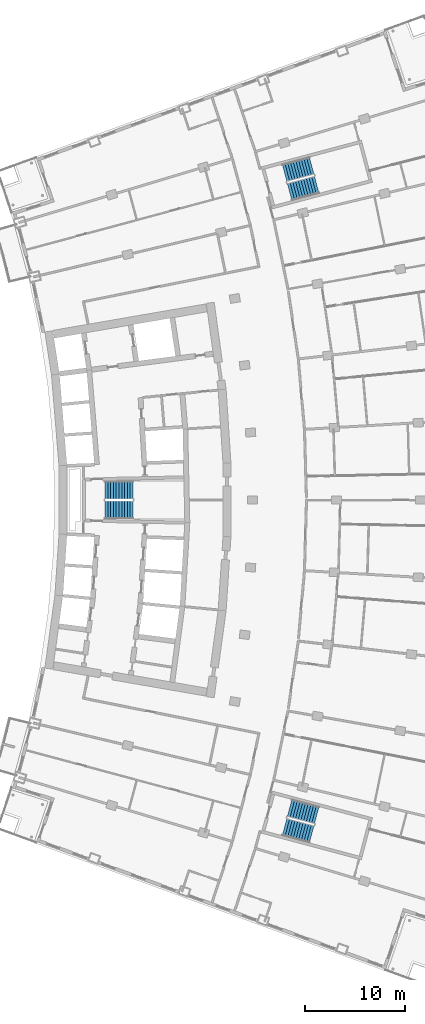
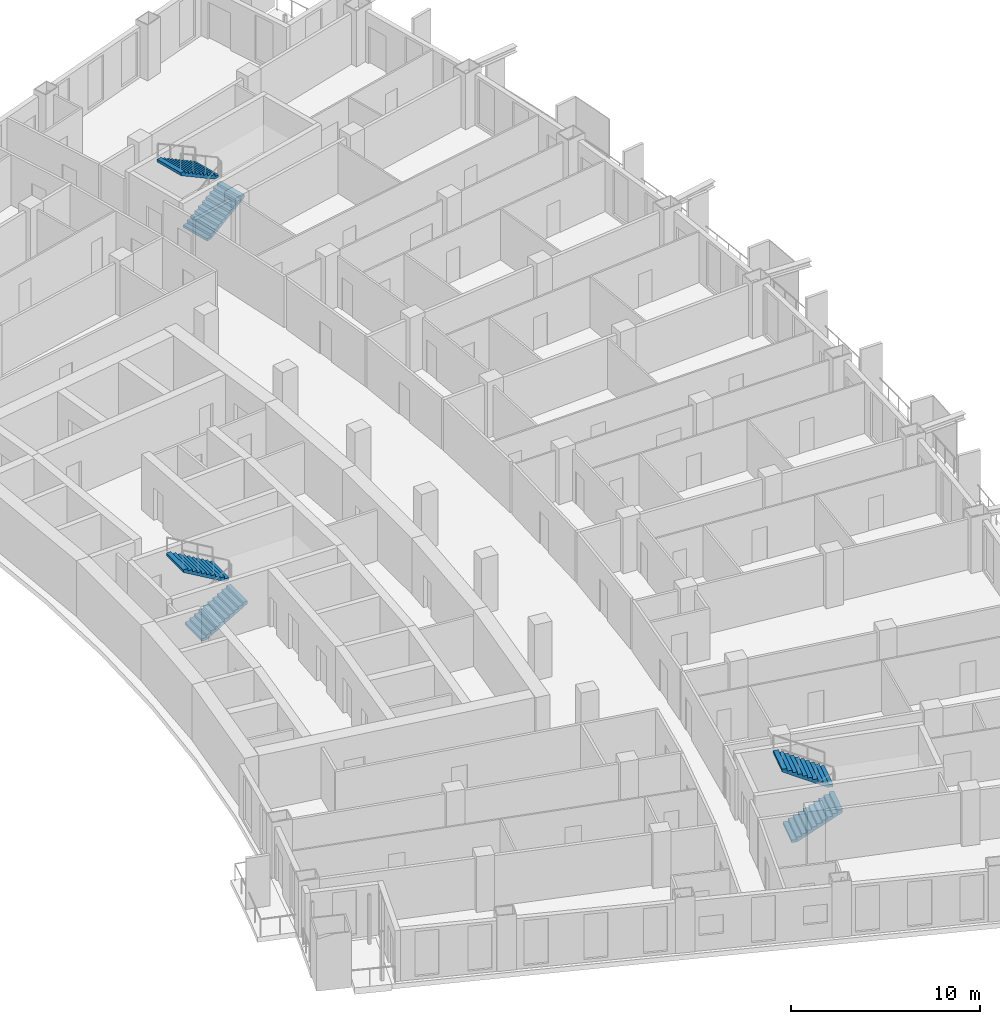
# One storey, part 22 of 25: 6 stair flights, 3 elements without a shape of their own.
"""IFC4 building model written with IfcOpenShell, lengths in metres."""

from ifc_helpers import new_model, si_unit, direction, frame, origin, place, context, subcontext, project, spatial, polyline, outline, extrude, material, layer, layer_set, type_object, element, aggregate, save


model = new_model("IFC4")

# Units and contexts
model_context = context("Model", 3, precision=1e-05, world=origin(), true_north=direction((0.0, 1.0)))
body_context = subcontext(model_context, "Body", "Model", "MODEL_VIEW")
ifc_project = project(units=[si_unit("LENGTHUNIT", "METRE"), si_unit("AREAUNIT", "SQUARE_METRE"), si_unit("VOLUMEUNIT", "CUBIC_METRE"), si_unit("PLANEANGLEUNIT", "RADIAN"), si_unit("MASSUNIT", "GRAM", prefix="KILO")], contexts=[model_context])

# Site, building, storey
site_placement = place(None, origin())
site = spatial("IfcSite", under=ifc_project, at=site_placement, CompositionType="ELEMENT")
building_placement = place(site_placement, origin())
building = spatial("IfcBuilding", under=site, at=building_placement, Name="Alderwake Tower", CompositionType="ELEMENT")
storey_placement = place(building_placement, frame((0.0, 0.0, 107.60009765625)))
storey = spatial("IfcBuildingStorey", under=building, at=storey_placement, Name="L26", CompositionType="ELEMENT", Elevation=107.60009765625)

# Stair, stair flights
ifc_material_1 = material(Name="Concrete C40/50", Category="concrete")
stair_type = type_object("IfcStairType", Name="Core exit stair", PredefinedType="HALF_TURN_STAIR", material=ifc_material_1)
stair_1_placement = place(storey_placement, origin())
stair_1 = element("IfcStair", 1, at=stair_1_placement, inside=storey, type_object=stair_type, Name="L26 Exit Stair B", PredefinedType="HALF_TURN_STAIR")
ifc_material_2 = material(Name="Concrete C40/50", Category="concrete")
ifc_layer = layer(ifc_material_2, 0.14990234375)
ifc_layer_set = layer_set([ifc_layer], Name="Core stair flight")
stair_flight_type = type_object("IfcStairFlightType", Name="Core stair flight", PredefinedType="STRAIGHT", material=ifc_layer_set)
stair_flight_1_placement = place(storey_placement, frame((21.0400390625, 60.02490234375, 0.0), z_axis=(0.0, 0.0, 1.0), x_axis=(1.0, 0.0, 0.0)))
stair_flight_1 = element("IfcStairFlight", 2, at=stair_flight_1_placement, type_object=stair_flight_type, Name="ST-B flight 1", NumberOfRisers=11, NumberOfTreads=10, PredefinedType="STRAIGHT", RiserHeight=0.163636364, TreadLength=0.28, context=body_context, shape_type="SweptSolid", body=[
    extrude(outline(polyline([(0.0, 0.0), (0.0, 0.16357421875), (0.280029296875, 0.16357421875), (0.280029296875, 0.327392578125), (0.56005859375, 0.327392578125), (0.56005859375, 0.490966796875), (0.840087890625, 0.490966796875), (0.840087890625, 0.654541015625), (1.1201171875, 0.654541015625), (1.1201171875, 0.818115234375), (1.39990234375, 0.818115234375), (1.39990234375, 0.98193359375), (1.679931640625, 0.98193359375), (1.679931640625, 1.1455078125), (1.9599609375, 1.1455078125), (1.9599609375, 1.30908203125), (2.239990234375, 1.30908203125), (2.239990234375, 1.47265625), (2.52001953125, 1.47265625), (2.52001953125, 1.636474609375), (2.800048828125, 1.636474609375), (2.800048828125, 1.800048828125), (2.800048828125, 1.462646484375), (0.297119140625, 0.0), (0.0, 0.0)])), frame((0.0, 0.89990234375, 0.0), z_axis=(0.0, -1.0, 0.0), x_axis=(1.0, 0.0, 0.0)), (0.0, 0.0, 1.0), 1.800048828125),
])
stair_flight_2_placement = place(storey_placement, frame((23.840087890625, 61.97509765625, 1.7998046875), z_axis=(0.0, 0.0, 1.0), x_axis=(-1.0, 0.0, 0.0)))
stair_flight_2 = element("IfcStairFlight", 3, at=stair_flight_2_placement, type_object=stair_flight_type, Name="ST-B flight 2", NumberOfRisers=11, NumberOfTreads=10, PredefinedType="STRAIGHT", RiserHeight=0.163636364, TreadLength=0.28, context=body_context, shape_type="SweptSolid", body=[
    extrude(outline(polyline([(0.0, 0.0), (0.0, 0.16357421875), (0.280029296875, 0.16357421875), (0.280029296875, 0.327392578125), (0.56005859375, 0.327392578125), (0.56005859375, 0.490966796875), (0.840087890625, 0.490966796875), (0.840087890625, 0.654541015625), (1.1201171875, 0.654541015625), (1.1201171875, 0.818115234375), (1.39990234375, 0.818115234375), (1.39990234375, 0.98193359375), (1.679931640625, 0.98193359375), (1.679931640625, 1.1455078125), (1.9599609375, 1.1455078125), (1.9599609375, 1.30908203125), (2.239990234375, 1.30908203125), (2.239990234375, 1.47265625), (2.52001953125, 1.47265625), (2.52001953125, 1.636474609375), (2.800048828125, 1.636474609375), (2.800048828125, 1.800048828125), (2.800048828125, 1.462646484375), (0.297119140625, 0.0), (0.0, 0.0)])), frame((0.0, 0.89990234375, 0.0), z_axis=(0.0, -1.0, 0.0), x_axis=(1.0, 0.0, 0.0)), (0.0, 0.0, 1.0), 1.800048828125),
])
aggregate(stair_1, [stair_flight_1, stair_flight_2])

stair_2_placement = place(storey_placement, origin())
stair_2 = element("IfcStair", 4, at=stair_2_placement, inside=storey, type_object=stair_type, Name="L26 Exit Stair A", PredefinedType="HALF_TURN_STAIR")
stair_flight_3_placement = place(storey_placement, frame((39.512939453125, 91.823974609375, 0.0), z_axis=(0.0, 0.0, 1.0), x_axis=(0.966309627437, 0.257382407951, 0.0)))
stair_flight_3 = element("IfcStairFlight", 5, at=stair_flight_3_placement, type_object=stair_flight_type, Name="ST-A flight 1", NumberOfRisers=11, NumberOfTreads=10, PredefinedType="STRAIGHT", RiserHeight=0.163636364, TreadLength=0.28, context=body_context, shape_type="SweptSolid", body=[
    extrude(outline(polyline([(0.0, 0.0), (0.0, 0.16357421875), (0.280029296875, 0.16357421875), (0.280029296875, 0.327392578125), (0.56005859375, 0.327392578125), (0.56005859375, 0.490966796875), (0.840087890625, 0.490966796875), (0.840087890625, 0.654541015625), (1.1201171875, 0.654541015625), (1.1201171875, 0.818115234375), (1.39990234375, 0.818115234375), (1.39990234375, 0.98193359375), (1.679931640625, 0.98193359375), (1.679931640625, 1.1455078125), (1.9599609375, 1.1455078125), (1.9599609375, 1.30908203125), (2.239990234375, 1.30908203125), (2.239990234375, 1.47265625), (2.52001953125, 1.47265625), (2.52001953125, 1.636474609375), (2.800048828125, 1.636474609375), (2.800048828125, 1.800048828125), (2.800048828125, 1.462646484375), (0.297119140625, 0.0), (0.0, 0.0)])), frame((0.0, 0.89990234375, 0.0), z_axis=(0.0, -1.0, 0.0), x_axis=(1.0, 0.0, 0.0)), (0.0, 0.0, 1.0), 1.800048828125),
])
stair_flight_4_placement = place(storey_placement, frame((41.716796875, 94.428955078125, 1.7998046875), z_axis=(0.0, 0.0, 1.0), x_axis=(-0.966309627437, -0.257382407951, 0.0)))
stair_flight_4 = element("IfcStairFlight", 6, at=stair_flight_4_placement, type_object=stair_flight_type, Name="ST-A flight 2", NumberOfRisers=11, NumberOfTreads=10, PredefinedType="STRAIGHT", RiserHeight=0.163636364, TreadLength=0.28, context=body_context, shape_type="SweptSolid", body=[
    extrude(outline(polyline([(0.0, 0.0), (0.0, 0.16357421875), (0.280029296875, 0.16357421875), (0.280029296875, 0.327392578125), (0.56005859375, 0.327392578125), (0.56005859375, 0.490966796875), (0.840087890625, 0.490966796875), (0.840087890625, 0.654541015625), (1.1201171875, 0.654541015625), (1.1201171875, 0.818115234375), (1.39990234375, 0.818115234375), (1.39990234375, 0.98193359375), (1.679931640625, 0.98193359375), (1.679931640625, 1.1455078125), (1.9599609375, 1.1455078125), (1.9599609375, 1.30908203125), (2.239990234375, 1.30908203125), (2.239990234375, 1.47265625), (2.52001953125, 1.47265625), (2.52001953125, 1.636474609375), (2.800048828125, 1.636474609375), (2.800048828125, 1.800048828125), (2.800048828125, 1.462646484375), (0.297119140625, 0.0), (0.0, 0.0)])), frame((0.0, 0.89990234375, 0.0), z_axis=(0.0, -1.0, 0.0), x_axis=(1.0, 0.0, 0.0)), (0.0, 0.0, 1.0), 1.800048828125),
])
aggregate(stair_2, [stair_flight_3, stair_flight_4])

stair_3_placement = place(storey_placement, origin())
stair_3 = element("IfcStair", 7, at=stair_3_placement, inside=storey, type_object=stair_type, Name="L26 Exit Stair C", PredefinedType="HALF_TURN_STAIR")
stair_flight_5_placement = place(storey_placement, frame((39.010986328125, 28.291748046875, 0.0), z_axis=(0.0, 0.0, 1.0), x_axis=(0.966309627437, -0.257382407951, 0.0)))
stair_flight_5 = element("IfcStairFlight", 8, at=stair_flight_5_placement, type_object=stair_flight_type, Name="ST-C flight 1", NumberOfRisers=11, NumberOfTreads=10, PredefinedType="STRAIGHT", RiserHeight=0.163636364, TreadLength=0.28, context=body_context, shape_type="SweptSolid", body=[
    extrude(outline(polyline([(0.0, 0.0), (0.0, 0.16357421875), (0.280029296875, 0.16357421875), (0.280029296875, 0.327392578125), (0.56005859375, 0.327392578125), (0.56005859375, 0.490966796875), (0.840087890625, 0.490966796875), (0.840087890625, 0.654541015625), (1.1201171875, 0.654541015625), (1.1201171875, 0.818115234375), (1.39990234375, 0.818115234375), (1.39990234375, 0.98193359375), (1.679931640625, 0.98193359375), (1.679931640625, 1.1455078125), (1.9599609375, 1.1455078125), (1.9599609375, 1.30908203125), (2.239990234375, 1.30908203125), (2.239990234375, 1.47265625), (2.52001953125, 1.47265625), (2.52001953125, 1.636474609375), (2.800048828125, 1.636474609375), (2.800048828125, 1.800048828125), (2.800048828125, 1.462646484375), (0.297119140625, 0.0), (0.0, 0.0)])), frame((0.0, 0.89990234375, 0.0), z_axis=(0.0, -1.0, 0.0), x_axis=(1.0, 0.0, 0.0)), (0.0, 0.0, 1.0), 1.800048828125),
])
stair_flight_6_placement = place(storey_placement, frame((42.218505859375, 29.455322265625, 1.7998046875), z_axis=(0.0, 0.0, 1.0), x_axis=(-0.966309627437, 0.257382407951, 0.0)))
stair_flight_6 = element("IfcStairFlight", 9, at=stair_flight_6_placement, type_object=stair_flight_type, Name="ST-C flight 2", NumberOfRisers=11, NumberOfTreads=10, PredefinedType="STRAIGHT", RiserHeight=0.163636364, TreadLength=0.28, context=body_context, shape_type="SweptSolid", body=[
    extrude(outline(polyline([(0.0, 0.0), (0.0, 0.16357421875), (0.280029296875, 0.16357421875), (0.280029296875, 0.327392578125), (0.56005859375, 0.327392578125), (0.56005859375, 0.490966796875), (0.840087890625, 0.490966796875), (0.840087890625, 0.654541015625), (1.1201171875, 0.654541015625), (1.1201171875, 0.818115234375), (1.39990234375, 0.818115234375), (1.39990234375, 0.98193359375), (1.679931640625, 0.98193359375), (1.679931640625, 1.1455078125), (1.9599609375, 1.1455078125), (1.9599609375, 1.30908203125), (2.239990234375, 1.30908203125), (2.239990234375, 1.47265625), (2.52001953125, 1.47265625), (2.52001953125, 1.636474609375), (2.800048828125, 1.636474609375), (2.800048828125, 1.800048828125), (2.800048828125, 1.462646484375), (0.297119140625, 0.0), (0.0, 0.0)])), frame((0.0, 0.89990234375, 0.0), z_axis=(0.0, -1.0, 0.0), x_axis=(1.0, 0.0, 0.0)), (0.0, 0.0, 1.0), 1.800048828125),
])
aggregate(stair_3, [stair_flight_5, stair_flight_6])

save(model, "model.ifc")
